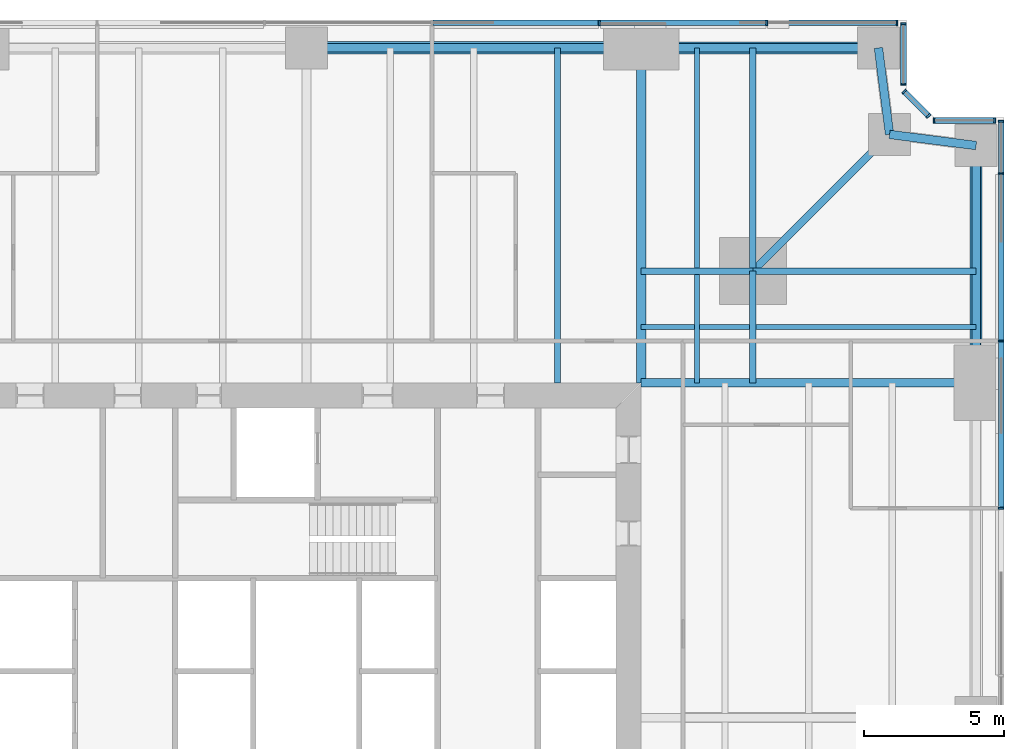
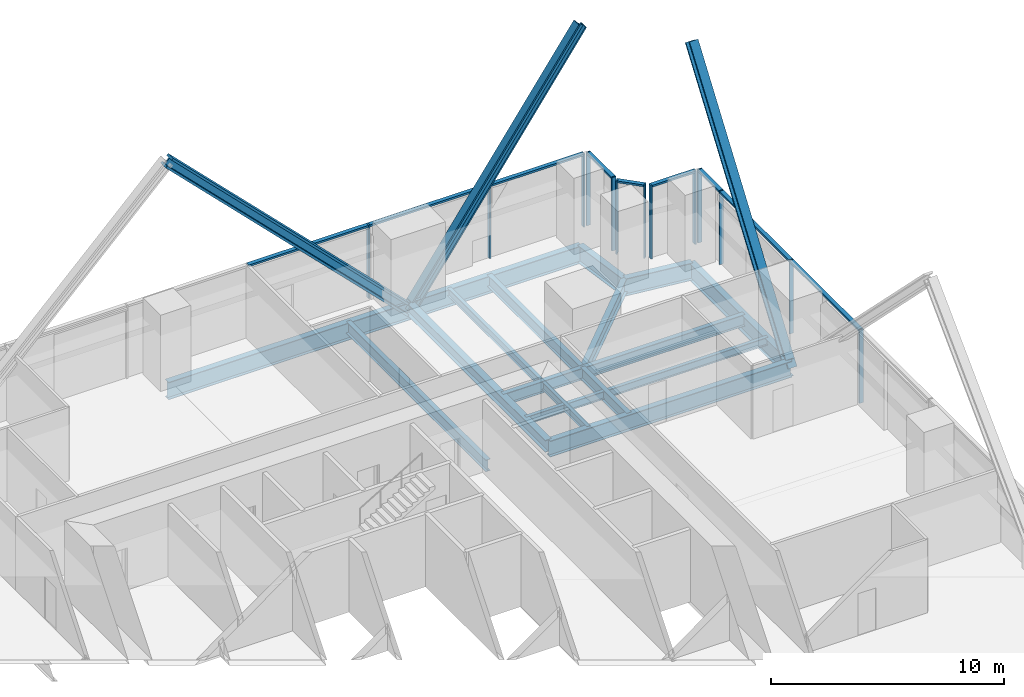
# One storey, part 7 of 13: 25 members, 18 beams, 5 elements without a shape of their own.
"""IFC4 building model written with IfcOpenShell, lengths in metres."""

import ifcopenshell
import ifcopenshell.guid

model = None  # the IFC model being written
_history = None  # IfcOwnerHistory: only IFC2X3 demands one
_inside = {}  # id of a spatial element -> (the spatial element, [elements in it])
_under = {}  # id of a project, library or spatial element -> (it, [spatial elements below it])
_declared = {}  # id of a project -> (the project, [libraries it declares])
_typed = {}  # id of a type object -> (the type object, [elements of that type])
_made_of = {}  # id of a material, layer set ... -> (it, [elements and type objects made of it])


def new_model(schema):
    """Start an empty IFC model of exactly this schema.

    Asked for "IFC4X3", IfcOpenShell would pick the latest addendum, in which some entities
    have other attributes; the version numbers below select the first issue.
    IFC2X3 requires an IfcOwnerHistory on every rooted entity: one is made here for all.
    """
    global model, _history
    if schema == "IFC4X3":
        model = ifcopenshell.file(schema_version=(4, 3, 0, 0))
    else:
        model = ifcopenshell.file(schema=schema)
    _inside.clear()
    _under.clear()
    _declared.clear()
    _typed.clear()
    _made_of.clear()
    _history = None
    if model.schema == "IFC2X3":
        org = make("IfcOrganization", Name="unknown")
        user = make(
            "IfcPersonAndOrganization",
            ThePerson=make("IfcPerson", FamilyName="unknown"),
            TheOrganization=org,
        )
        app = make(
            "IfcApplication",
            ApplicationDeveloper=org,
            Version="unknown",
            ApplicationFullName="unknown",
            ApplicationIdentifier="unknown",
        )
        _history = make(
            "IfcOwnerHistory",
            OwningUser=user,
            OwningApplication=app,
            ChangeAction="ADDED",
            CreationDate=0,
        )
    return model


def make(cls, **values):
    """One entity of the class cls with the attributes given. An attribute that is None is left unset."""
    return model.create_entity(
        cls, **{name: value for name, value in values.items() if value is not None}
    )


def rooted(cls, **values):
    """An entity with a GlobalId (a new one), such as an element, a storey or a relation."""
    return make(cls, GlobalId=ifcopenshell.guid.new(), OwnerHistory=_history, **values)


def si_unit(unit_type, name, prefix=None):
    """IfcSIUnit, for example si_unit("LENGTHUNIT", "METRE", prefix="MILLI")."""
    return make("IfcSIUnit", UnitType=unit_type, Prefix=prefix, Name=name)


def assignment(units):
    """IfcUnitAssignment: the units of a project."""
    return None if units is None else make("IfcUnitAssignment", Units=units)


def point(xyz):
    """IfcCartesianPoint."""
    return None if xyz is None else make("IfcCartesianPoint", Coordinates=xyz)


def direction(xyz):
    """IfcDirection."""
    return None if xyz is None else make("IfcDirection", DirectionRatios=xyz)


def frame(location, z_axis=None, x_axis=None):
    """IfcAxis2Placement3D, a coordinate frame: its origin and axes. An axis left out is left unset."""
    return make(
        "IfcAxis2Placement3D",
        Location=point(location),
        Axis=direction(z_axis),
        RefDirection=direction(x_axis),
    )


def frame_2d(location, x_axis=None):
    """IfcAxis2Placement2D, a coordinate frame in the plane: its origin and x axis."""
    return make(
        "IfcAxis2Placement2D", Location=point(location), RefDirection=direction(x_axis)
    )


def origin():
    """The frame at (0, 0, 0) with its axes left unset."""
    return frame((0.0, 0.0, 0.0))


def origin_2d():
    """The frame at (0, 0) in the plane with its x axis left unset."""
    return frame_2d((0.0, 0.0))


def place(relative_to, where):
    """IfcLocalPlacement: puts the frame where relative to a parent placement (None: the world)."""
    return make(
        "IfcLocalPlacement", PlacementRelTo=relative_to, RelativePlacement=where
    )


def context(
    kind, dimensions, precision=None, world=None, true_north=None, identifier=None
):
    """IfcGeometricRepresentationContext, for example the 3D "Model" context."""
    return make(
        "IfcGeometricRepresentationContext",
        ContextIdentifier=identifier,
        ContextType=kind,
        CoordinateSpaceDimension=dimensions,
        Precision=precision,
        WorldCoordinateSystem=world,
        TrueNorth=true_north,
    )


def subcontext(parent, identifier, kind, view, scale=None):
    """IfcGeometricRepresentationSubContext, for example "Body" below "Model"."""
    return make(
        "IfcGeometricRepresentationSubContext",
        ContextIdentifier=identifier,
        ContextType=kind,
        ParentContext=parent,
        TargetScale=scale,
        TargetView=view,
    )


def project(units=None, contexts=None):
    """IfcProject with its units and contexts."""
    return rooted(
        "IfcProject",
        Name="project",
        RepresentationContexts=contexts,
        UnitsInContext=assignment(units),
    )


def spatial(cls, under=None, at=None, **own):
    """A site, building, storey or space (cls), placed at a placement, below another one or the project."""
    s = rooted(cls, ObjectPlacement=at, **own)
    if under is not None:
        _under.setdefault(under.id(), (under, []))[1].append(s)
    return s


def profile(cls, at=None, kind="AREA", **sizes):
    """A parametric profile (cls). Its sizes go by their IFC names, for example OverallWidth=200.0."""
    return make(cls, ProfileType=kind, Position=at, **sizes)


def rectangle(**sizes):
    """IfcRectangleProfileDef."""
    return profile("IfcRectangleProfileDef", **sizes)


def i_section(**sizes):
    """IfcIShapeProfileDef."""
    return profile("IfcIShapeProfileDef", **sizes)


def extrude(swept, where, along, depth):
    """IfcExtrudedAreaSolid: the profile swept, set in the frame where, extruded along a direction by depth."""
    return make(
        "IfcExtrudedAreaSolid",
        SweptArea=swept,
        Position=where,
        ExtrudedDirection=direction(along),
        Depth=depth,
    )


def shape(context_of_items, identifier, shape_type, items):
    """IfcShapeRepresentation: the items that make up one representation, for example the "Body"."""
    return make(
        "IfcShapeRepresentation",
        ContextOfItems=context_of_items,
        RepresentationIdentifier=identifier,
        RepresentationType=shape_type,
        Items=items,
    )


def material(Name=None, Category=None):
    """IfcMaterial."""
    return make("IfcMaterial", Name=Name, Category=Category)


def material_profile(
    of_material, cross_section, Name=None, Category=None, Priority=None
):
    """IfcMaterialProfile: a cross section and its material."""
    return make(
        "IfcMaterialProfile",
        Name=Name,
        Material=of_material,
        Profile=cross_section,
        Priority=Priority,
        Category=Category,
    )


def profile_set(profiles, Name=None, composite=None):
    """IfcMaterialProfileSet."""
    return make(
        "IfcMaterialProfileSet",
        Name=Name,
        MaterialProfiles=profiles,
        CompositeProfile=composite,
    )


def made_of(thing, what):
    """Note that an element or type object is made of a material, layer set ...; save() writes the relation."""
    if what is not None:
        _made_of.setdefault(what.id(), (what, []))[1].append(thing)
    return thing


def type_object(cls, material=None, **own):
    """A type object (cls), such as IfcWallType, which elements share."""
    return made_of(rooted(cls, **own), material)


def element(
    cls,
    number,
    at=None,
    inside=None,
    cuts=None,
    type_object=None,
    material=None,
    context=None,
    identifier="Body",
    shape_type=None,
    held_by="IfcProductDefinitionShape",
    body=None,
    shapes=None,
    **own,
):
    """One element of the class cls, such as IfcWall. Its Tag is "e" and its number.

    at: its placement. inside: the storey or other place that contains it. cuts: it is an
    opening in that element (IfcRelVoidsElement). A single representation is given by context,
    identifier, shape_type and body (its items); several are given by shapes. held_by: the class
    of the entity that holds the representations. save() writes the other relations.
    """
    e = rooted(cls, Tag="e%d" % number, ObjectPlacement=at, **own)
    if body is not None:
        shapes = [shape(context, identifier, shape_type, body)]
    if shapes is not None:
        e.Representation = make(held_by, Representations=shapes)
    if inside is not None:
        _inside.setdefault(inside.id(), (inside, []))[1].append(e)
    if cuts is not None:
        rooted(
            "IfcRelVoidsElement", RelatingBuildingElement=cuts, RelatedOpeningElement=e
        )
    if type_object is not None:
        _typed.setdefault(type_object.id(), (type_object, []))[1].append(e)
    return made_of(e, material)


def aggregate(whole, parts):
    """IfcRelAggregates: a whole, such as a stair, and the parts it consists of."""
    return rooted("IfcRelAggregates", RelatingObject=whole, RelatedObjects=parts)


def save(model, path):
    """Write the relations noted so far, then the file.

    IfcRelAggregates (storeys below a building ...), IfcRelContainedInSpatialStructure (elements
    in a storey), IfcRelDefinesByType, IfcRelAssociatesMaterial and IfcRelDeclares: one each for
    every whole, place, type object, material and project.
    """
    for whole, parts in _under.values():
        aggregate(whole, parts)
    for where, things in _inside.values():
        rooted(
            "IfcRelContainedInSpatialStructure",
            RelatedElements=things,
            RelatingStructure=where,
        )
    for kind, things in _typed.values():
        rooted("IfcRelDefinesByType", RelatedObjects=things, RelatingType=kind)
    for what, things in _made_of.values():
        rooted("IfcRelAssociatesMaterial", RelatedObjects=things, RelatingMaterial=what)
    for by, libraries in _declared.values():
        rooted("IfcRelDeclares", RelatingContext=by, RelatedDefinitions=libraries)
    model.write(path)


model = new_model("IFC4")

# Units and contexts
model_context = context("Model", 3, precision=1e-05, world=origin(), true_north=direction((0.0, 1.0)))
body_context = subcontext(model_context, "Body", "Model", "MODEL_VIEW")
ifc_project = project(units=[si_unit("LENGTHUNIT", "METRE"), si_unit("AREAUNIT", "SQUARE_METRE"), si_unit("VOLUMEUNIT", "CUBIC_METRE"), si_unit("PLANEANGLEUNIT", "RADIAN"), si_unit("MASSUNIT", "GRAM", prefix="KILO")], contexts=[model_context])

# Site, building, storey
site_placement = place(None, origin())
site = spatial("IfcSite", under=ifc_project, at=site_placement, CompositionType="ELEMENT")
building_placement = place(site_placement, origin())
building = spatial("IfcBuilding", under=site, at=building_placement, Name="Fenwick Lantern Interchange", CompositionType="ELEMENT")
storey_placement = place(building_placement, frame((0.0, 0.0, 55.0)))
storey = spatial("IfcBuildingStorey", under=building, at=storey_placement, Name="L12", CompositionType="ELEMENT", Elevation=55.0)

# Beams
ifc_material_1 = material(Name="Steel ASTM A992 Grade 50", Category="steel")
ifc_material_profile_1 = material_profile(ifc_material_1, i_section(OverallWidth=0.3046875, OverallDepth=0.911865234375, WebThickness=0.015869140625, FlangeThickness=0.02392578125, at=origin_2d()), Name="W36X150")
ifc_profile_set_1 = profile_set([ifc_material_profile_1], Name="Steel ASTM A992 Grade 50")
beam_type_1 = type_object("IfcBeamType", Name="EDGE BEAM W36X150", PredefinedType="SPANDREL", material=ifc_profile_set_1)
beam_1_placement = place(storey_placement, frame((49.0, 37.0, -0.60595703125), z_axis=(0.0, 1.0, 0.0), x_axis=(-1.0, 0.0, 0.0)))
element("IfcBeam", 1, at=beam_1_placement, inside=storey, type_object=beam_type_1, Name="L12/FR/E/EB4", PredefinedType="SPANDREL", context=body_context, shape_type="SweptSolid", body=[
    extrude(i_section(OverallWidth=0.3046875, OverallDepth=0.911865234375, WebThickness=0.015869140625, FlangeThickness=0.02392578125, at=origin_2d()), origin(), (0.0, 0.0, 1.0), 8.5),
])
for number, where, z_axis, x_axis, name in (
    (2, (49.0, 45.5, -0.60595703125), (-0.991782342897, 0.127936641807, 0.0), (-0.127936641807, -0.991782342897, 0.0), "L12/FR/E/EBR1"),
    (3, (45.89990234375, 45.89990234375, -0.60595703125), (-0.127936641807, 0.991782342897, 0.0), (-0.991782342897, -0.127936641807, 0.0), "L12/FR/E/EBR2"),
):
    element("IfcBeam", number, at=place(storey_placement, frame(where, z_axis=z_axis, x_axis=x_axis)), inside=storey, type_object=beam_type_1, Name=name, PredefinedType="SPANDREL", context=body_context, shape_type="SweptSolid", body=[
        extrude(i_section(OverallWidth=0.3046875, OverallDepth=0.911865234375, WebThickness=0.015869140625, FlangeThickness=0.02392578125, at=origin_2d()), origin(), (0.0, 0.0, 1.0), 3.125732421875),
    ])
beam_2_placement = place(storey_placement, frame((45.5, 49.0, -0.60595703125), z_axis=(-1.0, 0.0, 0.0), x_axis=(0.0, -1.0, 0.0)))
element("IfcBeam", 4, at=beam_2_placement, inside=storey, type_object=beam_type_1, Name="L12/FR/N/EB1", PredefinedType="SPANDREL", context=body_context, shape_type="SweptSolid", body=[
    extrude(i_section(OverallWidth=0.3046875, OverallDepth=0.911865234375, WebThickness=0.015869140625, FlangeThickness=0.02392578125, at=origin_2d()), origin(), (0.0, 0.0, 1.0), 8.5),
])
beam_3_placement = place(storey_placement, frame((37.0, 49.0, -0.60595703125), z_axis=(-1.0, 0.0, 0.0), x_axis=(0.0, -1.0, 0.0)))
element("IfcBeam", 5, at=beam_3_placement, inside=storey, type_object=beam_type_1, Name="L12/FR/N/EB2", PredefinedType="SPANDREL", context=body_context, shape_type="SweptSolid", body=[
    extrude(i_section(OverallWidth=0.3046875, OverallDepth=0.911865234375, WebThickness=0.015869140625, FlangeThickness=0.02392578125, at=origin_2d()), origin(), (0.0, 0.0, 1.0), 12.0),
])

# Members
ifc_material_profile_2 = material_profile(ifc_material_1, i_section(OverallWidth=0.424072265625, OverallDepth=0.47509765625, WebThickness=0.0478515625, FlangeThickness=0.0771484375, at=origin_2d()), Name="W14X426")
ifc_profile_set_2 = profile_set([ifc_material_profile_2], Name="Steel ASTM A992 Grade 50")
member_type_1 = type_object("IfcMemberType", Name="FACADE BRACE W14X426", PredefinedType="BRACE", material=ifc_profile_set_2)
for number, where, z_axis, x_axis, name in (
    (6, (49.0, 37.0, -0.60595703125), (0.0, 0.57801734078, 0.816024481102), (-1.0, 0.0, 0.0), "L12/FB/E/BE"),
    (7, (37.0, 49.0, -0.60595703125), (0.57801734078, 0.0, 0.816024481102), (0.0, 1.0, 0.0), "L12/FB/N/AE"),
):
    element("IfcMember", number, at=place(storey_placement, frame(where, z_axis=z_axis, x_axis=x_axis)), inside=storey, type_object=member_type_1, Name=name, PredefinedType="BRACE", context=body_context, shape_type="SweptSolid", body=[
        extrude(i_section(OverallWidth=0.424072265625, OverallDepth=0.47509765625, WebThickness=0.0478515625, FlangeThickness=0.0771484375, at=origin_2d()), origin(), (0.0, 0.0, 1.0), 14.705322265625),
    ])
ifc_material_profile_3 = material_profile(ifc_material_1, i_section(OverallWidth=0.44189453125, OverallDepth=0.53076171875, WebThickness=0.06591796875, FlangeThickness=0.105712890625, at=origin_2d()), Name="W14X605")
ifc_profile_set_3 = profile_set([ifc_material_profile_3], Name="Steel ASTM A992 Grade 50")
member_type_2 = type_object("IfcMemberType", Name="FACADE BRACE W14X605", PredefinedType="BRACE", material=ifc_profile_set_3)
member_1_placement = place(storey_placement, frame((37.0, 49.0, -0.60595703125), z_axis=(-0.707106781187, 0.0, 0.707106781187), x_axis=(0.0, -1.0, 0.0)))
element("IfcMember", 8, at=member_1_placement, inside=storey, type_object=member_type_2, Name="L12/FB/N/A", PredefinedType="BRACE", context=body_context, shape_type="SweptSolid", body=[
    extrude(i_section(OverallWidth=0.44189453125, OverallDepth=0.53076171875, WebThickness=0.06591796875, FlangeThickness=0.105712890625, at=origin_2d()), origin(), (0.0, 0.0, 1.0), 16.970458984375),
])

# Beams
ifc_material_profile_4 = material_profile(ifc_material_1, i_section(OverallWidth=0.22900390625, OverallDepth=0.612060546875, WebThickness=0.011962890625, FlangeThickness=0.01953125, at=origin_2d()), Name="W24X84")
ifc_profile_set_4 = profile_set([ifc_material_profile_4], Name="Steel ASTM A992 Grade 50")
beam_type_2 = type_object("IfcBeamType", Name="FLOOR BEAM W24X84", PredefinedType="BEAM", material=ifc_profile_set_4)
beam_4_placement = place(storey_placement, frame((34.0, 49.0, -0.4560546875), z_axis=(0.0, -1.0, 0.0), x_axis=(1.0, 0.0, 0.0)))
element("IfcBeam", 9, at=beam_4_placement, inside=storey, type_object=beam_type_2, Name="L12/FR/N/R02", PredefinedType="BEAM", context=body_context, shape_type="SweptSolid", body=[
    extrude(i_section(OverallWidth=0.22900390625, OverallDepth=0.612060546875, WebThickness=0.011962890625, FlangeThickness=0.01953125, at=origin_2d()), origin(), (0.0, 0.0, 1.0), 12.0),
])
ifc_material_profile_5 = material_profile(ifc_material_1, i_section(OverallWidth=0.177734375, OverallDepth=0.406494140625, WebThickness=0.0078125, FlangeThickness=0.012939453125, at=origin_2d()), Name="W16X40")
ifc_profile_set_5 = profile_set([ifc_material_profile_5], Name="Steel ASTM A992 Grade 50")
beam_type_3 = type_object("IfcBeamType", Name="INFILL BEAM W16X40", PredefinedType="JOIST", material=ifc_profile_set_5)
beam_5_placement = place(storey_placement, frame((39.0, 49.0, -0.353271484375), z_axis=(0.0, -1.0, 0.0), x_axis=(1.0, 0.0, 0.0)))
element("IfcBeam", 10, at=beam_5_placement, inside=storey, type_object=beam_type_3, Name="L12/FR/N/J1", PredefinedType="JOIST", context=body_context, shape_type="SweptSolid", body=[
    extrude(i_section(OverallWidth=0.177734375, OverallDepth=0.406494140625, WebThickness=0.0078125, FlangeThickness=0.012939453125, at=origin_2d()), origin(), (0.0, 0.0, 1.0), 7.885498046875),
])
beam_6_placement = place(storey_placement, frame((39.0, 40.885498046875, -0.353271484375), z_axis=(0.0, -1.0, 0.0), x_axis=(1.0, 0.0, 0.0)))
element("IfcBeam", 11, at=beam_6_placement, inside=storey, type_object=beam_type_3, Name="L12/FR/N/J2", PredefinedType="JOIST", context=body_context, shape_type="SweptSolid", body=[
    extrude(i_section(OverallWidth=0.177734375, OverallDepth=0.406494140625, WebThickness=0.0078125, FlangeThickness=0.012939453125, at=origin_2d()), origin(), (0.0, 0.0, 1.0), 3.885498046875),
])
beam_7_placement = place(storey_placement, frame((49.0, 39.0, -0.353271484375), z_axis=(-1.0, 0.0, 0.0), x_axis=(0.0, -1.0, 0.0)))
element("IfcBeam", 12, at=beam_7_placement, inside=storey, type_object=beam_type_3, Name="L12/FR/N/J3", PredefinedType="JOIST", context=body_context, shape_type="SweptSolid", body=[
    extrude(i_section(OverallWidth=0.177734375, OverallDepth=0.406494140625, WebThickness=0.0078125, FlangeThickness=0.012939453125, at=origin_2d()), origin(), (0.0, 0.0, 1.0), 7.885498046875),
])
beam_8_placement = place(storey_placement, frame((40.885498046875, 39.0, -0.353271484375), z_axis=(-1.0, 0.0, 0.0), x_axis=(0.0, -1.0, 0.0)))
element("IfcBeam", 13, at=beam_8_placement, inside=storey, type_object=beam_type_3, Name="L12/FR/N/J4", PredefinedType="JOIST", context=body_context, shape_type="SweptSolid", body=[
    extrude(i_section(OverallWidth=0.177734375, OverallDepth=0.406494140625, WebThickness=0.0078125, FlangeThickness=0.012939453125, at=origin_2d()), origin(), (0.0, 0.0, 1.0), 1.796630859375),
])
beam_9_placement = place(storey_placement, frame((38.9111328125, 39.0, -0.353271484375), z_axis=(-1.0, 0.0, 0.0), x_axis=(0.0, -1.0, 0.0)))
element("IfcBeam", 14, at=beam_9_placement, inside=storey, type_object=beam_type_3, Name="L12/FR/N/J5", PredefinedType="JOIST", context=body_context, shape_type="SweptSolid", body=[
    extrude(i_section(OverallWidth=0.177734375, OverallDepth=0.406494140625, WebThickness=0.0078125, FlangeThickness=0.012939453125, at=origin_2d()), origin(), (0.0, 0.0, 1.0), 1.9111328125),
])
ifc_material_profile_6 = material_profile(ifc_material_1, i_section(OverallWidth=0.22900390625, OverallDepth=0.612060546875, WebThickness=0.011962890625, FlangeThickness=0.01953125, at=origin_2d()), Name="W24X84")
ifc_profile_set_6 = profile_set([ifc_material_profile_6], Name="Steel ASTM A992 Grade 50")
beam_type_4 = type_object("IfcBeamType", Name="MEGA COLUMN BEAM W24X84", PredefinedType="BEAM", material=ifc_profile_set_6)
for number, where, z_axis, x_axis, name in (
    (15, (41.0, 41.0, -0.4560546875), (0.0, 1.0, 0.0), (-1.0, 0.0, 0.0), "L12/FR/N/MB1"),
    (16, (41.0, 41.0, -0.4560546875), (1.0, 0.0, 0.0), (0.0, 1.0, 0.0), "L12/FR/N/MB2"),
):
    element("IfcBeam", number, at=place(storey_placement, frame(where, z_axis=z_axis, x_axis=x_axis)), inside=storey, type_object=beam_type_4, Name=name, PredefinedType="BEAM", context=body_context, shape_type="SweptSolid", body=[
        extrude(i_section(OverallWidth=0.22900390625, OverallDepth=0.612060546875, WebThickness=0.011962890625, FlangeThickness=0.01953125, at=origin_2d()), origin(), (0.0, 0.0, 1.0), 8.0),
    ])
for number, where, z_axis, x_axis, name in (
    (17, (41.0, 41.0, -0.4560546875), (-1.0, 0.0, 0.0), (0.0, -1.0, 0.0), "L12/FR/N/MB3"),
    (18, (41.0, 41.0, -0.4560546875), (0.0, -1.0, 0.0), (1.0, 0.0, 0.0), "L12/FR/N/MB4"),
):
    element("IfcBeam", number, at=place(storey_placement, frame(where, z_axis=z_axis, x_axis=x_axis)), inside=storey, type_object=beam_type_4, Name=name, PredefinedType="BEAM", context=body_context, shape_type="SweptSolid", body=[
        extrude(i_section(OverallWidth=0.22900390625, OverallDepth=0.612060546875, WebThickness=0.011962890625, FlangeThickness=0.01953125, at=origin_2d()), origin(), (0.0, 0.0, 1.0), 4.0),
    ])
ifc_material_profile_7 = material_profile(ifc_material_1, i_section(OverallWidth=0.32763671875, OverallDepth=0.622314453125, WebThickness=0.015380859375, FlangeThickness=0.0244140625, at=origin_2d()), Name="W24X131")
ifc_profile_set_7 = profile_set([ifc_material_profile_7], Name="Steel ASTM A992 Grade 50")
beam_type_5 = type_object("IfcBeamType", Name="MOMENT-CONNECTED GIRDER W24X131", PredefinedType="BEAM", material=ifc_profile_set_7)
beam_10_placement = place(storey_placement, frame((37.0, 49.0, -0.461181640625), z_axis=(0.0, -1.0, 0.0), x_axis=(1.0, 0.0, 0.0)))
element("IfcBeam", 19, at=beam_10_placement, inside=storey, type_object=beam_type_5, Name="L12/FR/N/R01", PredefinedType="BEAM", context=body_context, shape_type="SweptSolid", body=[
    extrude(i_section(OverallWidth=0.32763671875, OverallDepth=0.622314453125, WebThickness=0.015380859375, FlangeThickness=0.0244140625, at=origin_2d()), origin(), (0.0, 0.0, 1.0), 12.0),
])
ifc_material_profile_8 = material_profile(ifc_material_1, i_section(OverallWidth=0.2919921875, OverallDepth=0.845703125, WebThickness=0.015380859375, FlangeThickness=0.0244140625, at=origin_2d()), Name="W33X141")
ifc_profile_set_8 = profile_set([ifc_material_profile_8], Name="Steel ASTM A992 Grade 50")
beam_type_6 = type_object("IfcBeamType", Name="MOMENT-CONNECTED GIRDER W33X141", PredefinedType="BEAM", material=ifc_profile_set_8)
beam_11_placement = place(storey_placement, frame((49.0, 37.0, -0.572998046875), z_axis=(-1.0, 0.0, 0.0), x_axis=(0.0, -1.0, 0.0)))
element("IfcBeam", 20, at=beam_11_placement, inside=storey, type_object=beam_type_6, Name="L12/FR/E/R03", PredefinedType="BEAM", context=body_context, shape_type="SweptSolid", body=[
    extrude(i_section(OverallWidth=0.2919921875, OverallDepth=0.845703125, WebThickness=0.015380859375, FlangeThickness=0.0244140625, at=origin_2d()), origin(), (0.0, 0.0, 1.0), 12.0),
])
ifc_material_profile_9 = material_profile(ifc_material_1, i_section(OverallWidth=0.2666015625, OverallDepth=0.7568359375, WebThickness=0.013916015625, FlangeThickness=0.019287109375, at=origin_2d()), Name="W30X108")
ifc_profile_set_9 = profile_set([ifc_material_profile_9], Name="Steel ASTM A992 Grade 50")
beam_type_7 = type_object("IfcBeamType", Name="NOTCH BEAM W30X108", PredefinedType="BEAM", material=ifc_profile_set_9)
beam_12_placement = place(storey_placement, frame((41.0, 41.0, -0.528564453125), z_axis=(0.707106781187, 0.707106781187, 0.0), x_axis=(-0.707106781187, 0.707106781187, 0.0)))
element("IfcBeam", 21, at=beam_12_placement, inside=storey, type_object=beam_type_7, Name="L12/FR/N/TG", PredefinedType="BEAM", context=body_context, shape_type="SweptSolid", body=[
    extrude(i_section(OverallWidth=0.2666015625, OverallDepth=0.7568359375, WebThickness=0.013916015625, FlangeThickness=0.019287109375, at=origin_2d()), origin(), (0.0, 0.0, 1.0), 6.929443359375),
])

# Curtain wall, members
ifc_material_2 = material(Name="Aluminium curtain wall frame", Category="aluminium")
curtain_wall_type = type_object("IfcCurtainWallType", Name="OFFICE CURTAIN WALL", PredefinedType="USERDEFINED", material=ifc_material_2)
curtain_wall_1_placement = place(storey_placement, origin())
curtain_wall_1 = element("IfcCurtainWall", 22, at=curtain_wall_1_placement, inside=storey, type_object=curtain_wall_type, Name="Office curtain wall 05", ObjectType="OFFICE CURTAIN WALL", PredefinedType="USERDEFINED")
ifc_material_3 = material(Name="Aluminium extrusion", Category="aluminium")
ifc_material_profile_10 = material_profile(ifc_material_3, rectangle(XDim=0.199951171875, YDim=0.06494140625, at=origin_2d()), Name="OFFICE CURTAIN WALL MULLION 65 X 200")
ifc_profile_set_10 = profile_set([ifc_material_profile_10], Name="Aluminium extrusion")
member_type_3 = type_object("IfcMemberType", Name="OFFICE CURTAIN WALL MULLION 65 X 200", PredefinedType="MULLION", material=ifc_profile_set_10)
member_2_placement = place(storey_placement, frame((49.89990234375, 32.5, 0.0), z_axis=(0.0, 0.0, 1.0), x_axis=(-1.0, 0.0, 0.0)))
member_2 = element("IfcMember", 23, at=member_2_placement, type_object=member_type_3, Name="L12/CW/05/M05", PredefinedType="MULLION", context=body_context, shape_type="SweptSolid", body=[
    extrude(rectangle(XDim=0.199951171875, YDim=0.06494140625, at=origin_2d()), origin(), (0.0, 0.0, 1.0), 3.85009765625),
])
member_3_placement = place(storey_placement, frame((49.89990234375, 38.5, 0.0), z_axis=(0.0, 0.0, 1.0), x_axis=(-1.0, 0.0, 0.0)))
member_3 = element("IfcMember", 24, at=member_3_placement, type_object=member_type_3, Name="L12/CW/05/M06", PredefinedType="MULLION", context=body_context, shape_type="SweptSolid", body=[
    extrude(rectangle(XDim=0.199951171875, YDim=0.06494140625, at=origin_2d()), origin(), (0.0, 0.0, 1.0), 3.85009765625),
])
member_4_placement = place(storey_placement, frame((49.89990234375, 44.5, 0.0), z_axis=(0.0, 0.0, 1.0), x_axis=(-1.0, 0.0, 0.0)))
member_4 = element("IfcMember", 25, at=member_4_placement, type_object=member_type_3, Name="L12/CW/05/M07", PredefinedType="MULLION", context=body_context, shape_type="SweptSolid", body=[
    extrude(rectangle(XDim=0.199951171875, YDim=0.06494140625, at=origin_2d()), origin(), (0.0, 0.0, 1.0), 3.85009765625),
])
member_5_placement = place(storey_placement, frame((49.89990234375, 46.367431640625, 0.0), z_axis=(0.0, 0.0, 1.0), x_axis=(-1.0, 0.0, 0.0)))
member_5 = element("IfcMember", 26, at=member_5_placement, type_object=member_type_3, Name="L12/CW/05/M08", PredefinedType="MULLION", context=body_context, shape_type="SweptSolid", body=[
    extrude(rectangle(XDim=0.199951171875, YDim=0.06494140625, at=origin_2d()), origin(), (0.0, 0.0, 1.0), 3.85009765625),
])

curtain_wall_2_placement = place(storey_placement, origin())
curtain_wall_2 = element("IfcCurtainWall", 27, at=curtain_wall_2_placement, inside=storey, type_object=curtain_wall_type, Name="Office curtain wall 06", ObjectType="OFFICE CURTAIN WALL", PredefinedType="USERDEFINED")
member_6_placement = place(storey_placement, frame((49.66748046875, 46.39990234375, 0.0), z_axis=(0.0, 0.0, 1.0), x_axis=(0.0, -1.0, 0.0)))
member_6 = element("IfcMember", 28, at=member_6_placement, type_object=member_type_3, Name="L12/CW/06/M00", PredefinedType="MULLION", context=body_context, shape_type="SweptSolid", body=[
    extrude(rectangle(XDim=0.199951171875, YDim=0.06494140625, at=origin_2d()), origin(), (0.0, 0.0, 1.0), 3.85009765625),
])
member_7_placement = place(storey_placement, frame((47.490966796875, 46.39990234375, 0.0), z_axis=(0.0, 0.0, 1.0), x_axis=(0.0, -1.0, 0.0)))
member_7 = element("IfcMember", 29, at=member_7_placement, type_object=member_type_3, Name="L12/CW/06/M01", PredefinedType="MULLION", context=body_context, shape_type="SweptSolid", body=[
    extrude(rectangle(XDim=0.199951171875, YDim=0.06494140625, at=origin_2d()), origin(), (0.0, 0.0, 1.0), 3.85009765625),
])

curtain_wall_3_placement = place(storey_placement, origin())
curtain_wall_3 = element("IfcCurtainWall", 30, at=curtain_wall_3_placement, inside=storey, type_object=curtain_wall_type, Name="Office curtain wall 07", ObjectType="OFFICE CURTAIN WALL", PredefinedType="USERDEFINED")
member_8_placement = place(storey_placement, frame((47.294189453125, 46.564453125, 0.0), z_axis=(0.0, 0.0, 1.0), x_axis=(-0.707106781187, -0.707106781187, 0.0)))
member_8 = element("IfcMember", 31, at=member_8_placement, type_object=member_type_3, Name="L12/CW/07/M00", PredefinedType="MULLION", context=body_context, shape_type="SweptSolid", body=[
    extrude(rectangle(XDim=0.199951171875, YDim=0.06494140625, at=origin_2d()), origin(), (0.0, 0.0, 1.0), 3.85009765625),
])
member_9_placement = place(storey_placement, frame((46.423095703125, 47.435546875, 0.0), z_axis=(0.0, 0.0, 1.0), x_axis=(-0.707106781187, -0.707106781187, 0.0)))
member_9 = element("IfcMember", 32, at=member_9_placement, type_object=member_type_3, Name="L12/CW/07/M01", PredefinedType="MULLION", context=body_context, shape_type="SweptSolid", body=[
    extrude(rectangle(XDim=0.199951171875, YDim=0.06494140625, at=origin_2d()), origin(), (0.0, 0.0, 1.0), 3.85009765625),
])

curtain_wall_4_placement = place(storey_placement, origin())
curtain_wall_4 = element("IfcCurtainWall", 33, at=curtain_wall_4_placement, inside=storey, type_object=curtain_wall_type, Name="Office curtain wall 08", ObjectType="OFFICE CURTAIN WALL", PredefinedType="USERDEFINED")
member_10_placement = place(storey_placement, frame((46.39990234375, 47.691162109375, 0.0), z_axis=(0.0, 0.0, 1.0), x_axis=(-1.0, 0.0, 0.0)))
member_10 = element("IfcMember", 34, at=member_10_placement, type_object=member_type_3, Name="L12/CW/08/M00", PredefinedType="MULLION", context=body_context, shape_type="SweptSolid", body=[
    extrude(rectangle(XDim=0.199951171875, YDim=0.06494140625, at=origin_2d()), origin(), (0.0, 0.0, 1.0), 3.85009765625),
])
member_11_placement = place(storey_placement, frame((46.39990234375, 49.867431640625, 0.0), z_axis=(0.0, 0.0, 1.0), x_axis=(-1.0, 0.0, 0.0)))
member_11 = element("IfcMember", 35, at=member_11_placement, type_object=member_type_3, Name="L12/CW/08/M01", PredefinedType="MULLION", context=body_context, shape_type="SweptSolid", body=[
    extrude(rectangle(XDim=0.199951171875, YDim=0.06494140625, at=origin_2d()), origin(), (0.0, 0.0, 1.0), 3.85009765625),
])

curtain_wall_5_placement = place(storey_placement, origin())
curtain_wall_5 = element("IfcCurtainWall", 36, at=curtain_wall_5_placement, inside=storey, type_object=curtain_wall_type, Name="Office curtain wall 09", ObjectType="OFFICE CURTAIN WALL", PredefinedType="USERDEFINED")
member_12_placement = place(storey_placement, frame((46.16748046875, 49.89990234375, 0.0), z_axis=(0.0, 0.0, 1.0), x_axis=(0.0, -1.0, 0.0)))
member_12 = element("IfcMember", 37, at=member_12_placement, type_object=member_type_3, Name="L12/CW/09/M00", PredefinedType="MULLION", context=body_context, shape_type="SweptSolid", body=[
    extrude(rectangle(XDim=0.199951171875, YDim=0.06494140625, at=origin_2d()), origin(), (0.0, 0.0, 1.0), 3.85009765625),
])
member_13_placement = place(storey_placement, frame((41.5, 49.89990234375, 0.0), z_axis=(0.0, 0.0, 1.0), x_axis=(0.0, -1.0, 0.0)))
member_13 = element("IfcMember", 38, at=member_13_placement, type_object=member_type_3, Name="L12/CW/09/M01", PredefinedType="MULLION", context=body_context, shape_type="SweptSolid", body=[
    extrude(rectangle(XDim=0.199951171875, YDim=0.06494140625, at=origin_2d()), origin(), (0.0, 0.0, 1.0), 3.85009765625),
])
member_14_placement = place(storey_placement, frame((35.5, 49.89990234375, 0.0), z_axis=(0.0, 0.0, 1.0), x_axis=(0.0, -1.0, 0.0)))
member_14 = element("IfcMember", 39, at=member_14_placement, type_object=member_type_3, Name="L12/CW/09/M02", PredefinedType="MULLION", context=body_context, shape_type="SweptSolid", body=[
    extrude(rectangle(XDim=0.199951171875, YDim=0.06494140625, at=origin_2d()), origin(), (0.0, 0.0, 1.0), 3.85009765625),
])

# Member
ifc_material_profile_11 = material_profile(ifc_material_3, rectangle(XDim=0.199951171875, YDim=0.10009765625, at=origin_2d()), Name="OFFICE CURTAIN WALL TRANSOM 100 X 200")
ifc_profile_set_11 = profile_set([ifc_material_profile_11], Name="Aluminium extrusion")
member_type_4 = type_object("IfcMemberType", Name="OFFICE CURTAIN WALL TRANSOM 100 X 200", PredefinedType="MULLION", material=ifc_profile_set_11)
member_15_placement = place(storey_placement, frame((49.89990234375, 32.532470703125, 3.800048828125), z_axis=(0.0, 1.0, 0.0), x_axis=(-1.0, 0.0, 0.0)))
member_15 = element("IfcMember", 40, at=member_15_placement, type_object=member_type_4, Name="L12/CW/05/T05", PredefinedType="MULLION", context=body_context, shape_type="SweptSolid", body=[
    extrude(rectangle(XDim=0.199951171875, YDim=0.10009765625, at=origin_2d()), origin(), (0.0, 0.0, 1.0), 5.93505859375),
])

member_16_placement = place(storey_placement, frame((49.89990234375, 38.532470703125, 3.800048828125), z_axis=(0.0, 1.0, 0.0), x_axis=(-1.0, 0.0, 0.0)))
member_16 = element("IfcMember", 41, at=member_16_placement, type_object=member_type_4, Name="L12/CW/05/T06", PredefinedType="MULLION", context=body_context, shape_type="SweptSolid", body=[
    extrude(rectangle(XDim=0.199951171875, YDim=0.10009765625, at=origin_2d()), origin(), (0.0, 0.0, 1.0), 5.93505859375),
])

member_17_placement = place(storey_placement, frame((49.89990234375, 44.532470703125, 3.800048828125), z_axis=(0.0, 1.0, 0.0), x_axis=(-1.0, 0.0, 0.0)))
member_17 = element("IfcMember", 42, at=member_17_placement, type_object=member_type_4, Name="L12/CW/05/T07", PredefinedType="MULLION", context=body_context, shape_type="SweptSolid", body=[
    extrude(rectangle(XDim=0.199951171875, YDim=0.10009765625, at=origin_2d()), origin(), (0.0, 0.0, 1.0), 1.802490234375),
])

aggregate(curtain_wall_1, [member_2, member_3, member_4, member_5, member_15, member_16, member_17])

member_18_placement = place(storey_placement, frame((49.635009765625, 46.39990234375, 3.800048828125), z_axis=(-1.0, 0.0, 0.0), x_axis=(0.0, -1.0, 0.0)))
member_18 = element("IfcMember", 43, at=member_18_placement, type_object=member_type_4, Name="L12/CW/06/T00", PredefinedType="MULLION", context=body_context, shape_type="SweptSolid", body=[
    extrude(rectangle(XDim=0.199951171875, YDim=0.10009765625, at=origin_2d()), origin(), (0.0, 0.0, 1.0), 2.111328125),
])

aggregate(curtain_wall_2, [member_6, member_7, member_18])

member_19_placement = place(storey_placement, frame((47.271240234375, 46.58740234375, 3.800048828125), z_axis=(-0.707106781187, 0.707106781187, 0.0), x_axis=(-0.707106781187, -0.707106781187, 0.0)))
member_19 = element("IfcMember", 44, at=member_19_placement, type_object=member_type_4, Name="L12/CW/07/T00", PredefinedType="MULLION", context=body_context, shape_type="SweptSolid", body=[
    extrude(rectangle(XDim=0.199951171875, YDim=0.10009765625, at=origin_2d()), origin(), (0.0, 0.0, 1.0), 1.1669921875),
])

aggregate(curtain_wall_3, [member_8, member_9, member_19])

member_20_placement = place(storey_placement, frame((46.39990234375, 47.7236328125, 3.800048828125), z_axis=(0.0, 1.0, 0.0), x_axis=(-1.0, 0.0, 0.0)))
member_20 = element("IfcMember", 45, at=member_20_placement, type_object=member_type_4, Name="L12/CW/08/T00", PredefinedType="MULLION", context=body_context, shape_type="SweptSolid", body=[
    extrude(rectangle(XDim=0.199951171875, YDim=0.10009765625, at=origin_2d()), origin(), (0.0, 0.0, 1.0), 2.111328125),
])

aggregate(curtain_wall_4, [member_10, member_11, member_20])

member_21_placement = place(storey_placement, frame((46.135009765625, 49.89990234375, 3.800048828125), z_axis=(-1.0, 0.0, 0.0), x_axis=(0.0, -1.0, 0.0)))
member_21 = element("IfcMember", 46, at=member_21_placement, type_object=member_type_4, Name="L12/CW/09/T00", PredefinedType="MULLION", context=body_context, shape_type="SweptSolid", body=[
    extrude(rectangle(XDim=0.199951171875, YDim=0.10009765625, at=origin_2d()), origin(), (0.0, 0.0, 1.0), 4.6025390625),
])

member_22_placement = place(storey_placement, frame((41.467529296875, 49.89990234375, 3.800048828125), z_axis=(-1.0, 0.0, 0.0), x_axis=(0.0, -1.0, 0.0)))
member_22 = element("IfcMember", 47, at=member_22_placement, type_object=member_type_4, Name="L12/CW/09/T01", PredefinedType="MULLION", context=body_context, shape_type="SweptSolid", body=[
    extrude(rectangle(XDim=0.199951171875, YDim=0.10009765625, at=origin_2d()), origin(), (0.0, 0.0, 1.0), 5.93505859375),
])

member_23_placement = place(storey_placement, frame((35.467529296875, 49.89990234375, 3.800048828125), z_axis=(-1.0, 0.0, 0.0), x_axis=(0.0, -1.0, 0.0)))
member_23 = element("IfcMember", 48, at=member_23_placement, type_object=member_type_4, Name="L12/CW/09/T02", PredefinedType="MULLION", context=body_context, shape_type="SweptSolid", body=[
    extrude(rectangle(XDim=0.199951171875, YDim=0.10009765625, at=origin_2d()), origin(), (0.0, 0.0, 1.0), 5.93505859375),
])

aggregate(curtain_wall_5, [member_12, member_13, member_14, member_21, member_22, member_23])

save(model, "model.ifc")
